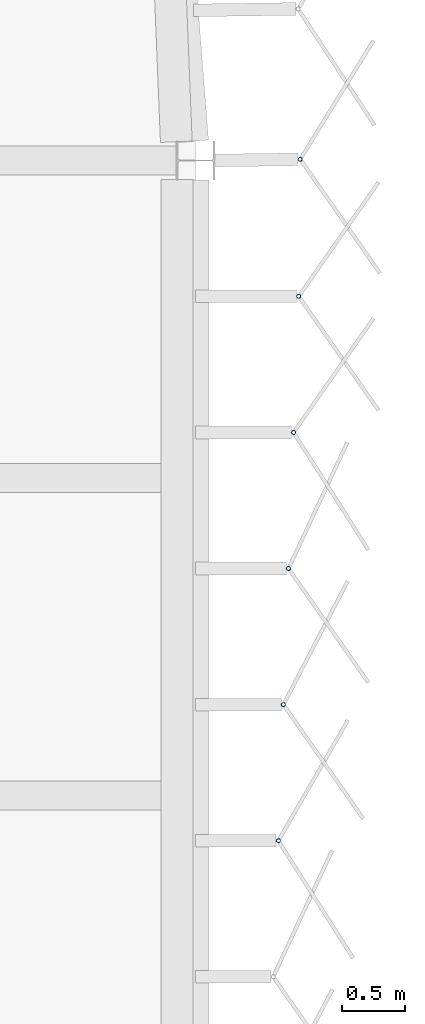
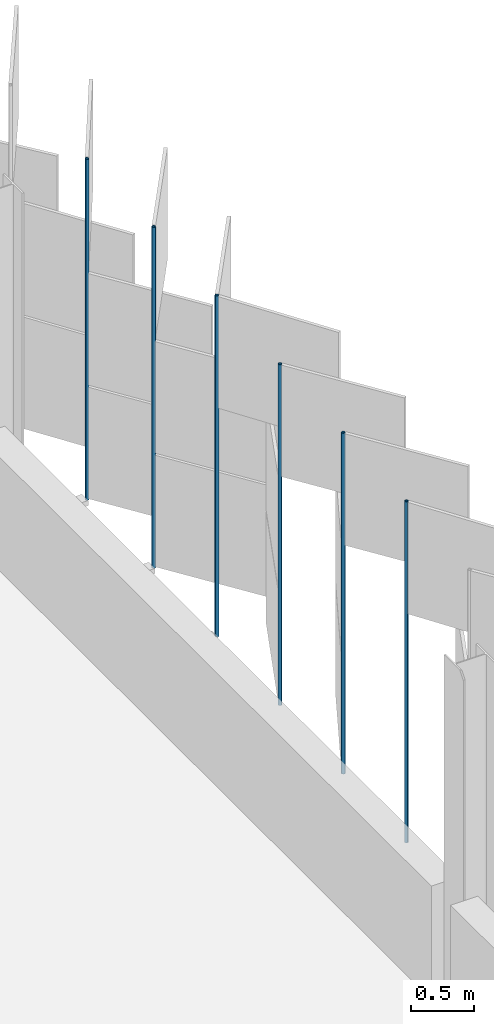
# One storey, part 117 of 198: 6 discrete accessories.
"""IFC4 building model written with IfcOpenShell, lengths in metres."""

from ifc_helpers import new_model, si_unit, direction, frame, origin, origin_2d, place, context, subcontext, project, spatial, hollow_circle, extrude, material, material_profile, profile_set, type_object, element, save


model = new_model("IFC4")

# Units and contexts
model_context = context("Model", 3, precision=1e-05, world=origin(), true_north=direction((0.0, 1.0)))
body_context = subcontext(model_context, "Body", "Model", "MODEL_VIEW")
ifc_project = project(units=[si_unit("LENGTHUNIT", "METRE"), si_unit("AREAUNIT", "SQUARE_METRE"), si_unit("VOLUMEUNIT", "CUBIC_METRE"), si_unit("PLANEANGLEUNIT", "RADIAN"), si_unit("MASSUNIT", "GRAM", prefix="KILO")], contexts=[model_context])

# Site, building, storey
site_placement = place(None, origin())
site = spatial("IfcSite", under=ifc_project, at=site_placement, CompositionType="ELEMENT")
building_placement = place(site_placement, origin())
building = spatial("IfcBuilding", under=site, at=building_placement, Name="Parallax Yard Mobility Hub", CompositionType="ELEMENT")
storey_placement = place(building_placement, frame((0.0, 0.0, 6.60009765625)))
storey = spatial("IfcBuildingStorey", under=building, at=storey_placement, Name="L02", CompositionType="ELEMENT", Elevation=6.60009765625)

# Discrete accessories
ifc_material = material(Name="Steel ASTM A500 Gr C, hot-dip galvanised", Category="steel")
ifc_material_profile = material_profile(ifc_material, hollow_circle(Radius=0.016845703125, WallThickness=0.003173828125, at=origin_2d()), Name="CHS 33.7x3.2")
ifc_profile_set = profile_set([ifc_material_profile], Name="Steel ASTM A500 Gr C, hot-dip galvanised")
discrete_accessory_type = type_object("IfcDiscreteAccessoryType", Name="Hinge post CHS 33.7x3.2", PredefinedType="BRACKET", material=ifc_profile_set)
for number, where, z_axis, x_axis, name in (
    (1, (225.651611328125, 84.643798828125, 0.0), (0.0, 0.0, 1.0), (1.0, 0.0, 0.0), "Hinge post bay 40.3 level L02"),
    (2, (225.69140625, 85.715576171875, 0.0), (0.0, 0.0, 1.0), (1.0, 0.0, 0.0), "Hinge post bay 40.4 level L02"),
    (3, (225.731689453125, 86.787109375, 0.0), (0.0, 0.0, 1.0), (1.0, 0.0, 0.0), "Hinge post bay 40.5 level L02"),
    (4, (225.771728515625, 87.85888671875, 0.0), (0.0, 0.0, 1.0), (1.0, 0.0, 0.0), "Hinge post bay 40.6 level L02"),
    (5, (225.811767578125, 88.9306640625, 0.0), (0.0, 0.0, 1.0), (1.0, 0.0, 0.0), "Hinge post bay 40.7 level L02"),
    (6, (225.82373046875, 90.010009765625, 0.0), (0.0, 0.0, 1.0), (1.0, 0.0, 0.0), "Hinge post bay 41.1 level L02"),
):
    element("IfcDiscreteAccessory", number, at=place(storey_placement, frame(where, z_axis=z_axis, x_axis=x_axis)), inside=storey, type_object=discrete_accessory_type, Name=name, PredefinedType="BRACKET", context=body_context, shape_type="SweptSolid", body=[
        extrude(hollow_circle(Radius=0.016845703125, WallThickness=0.003173828125, at=origin_2d()), origin(), (0.0, 0.0, 1.0), 3.2998046875),
    ])

save(model, "model.ifc")
